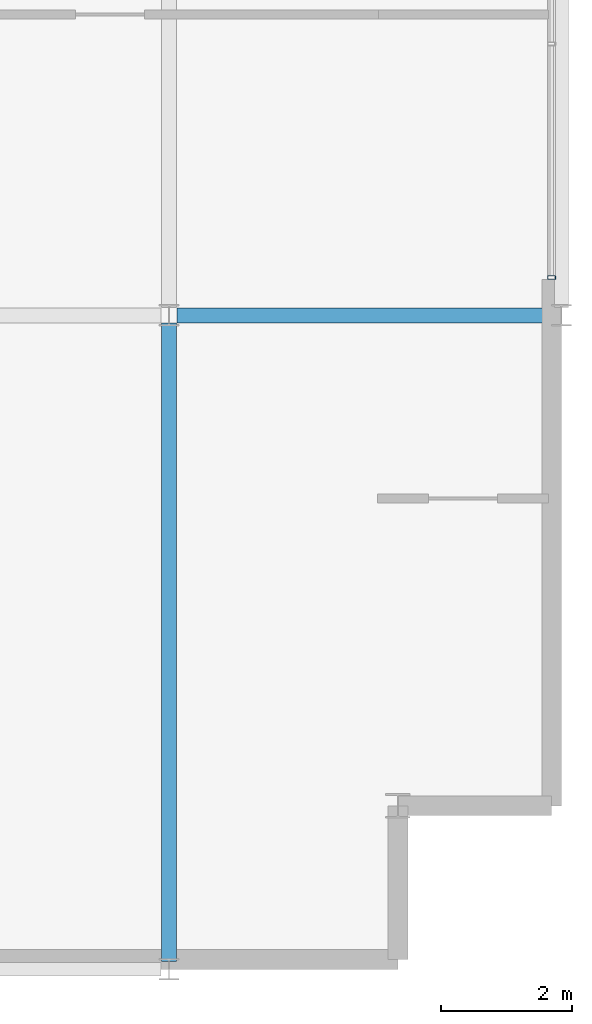
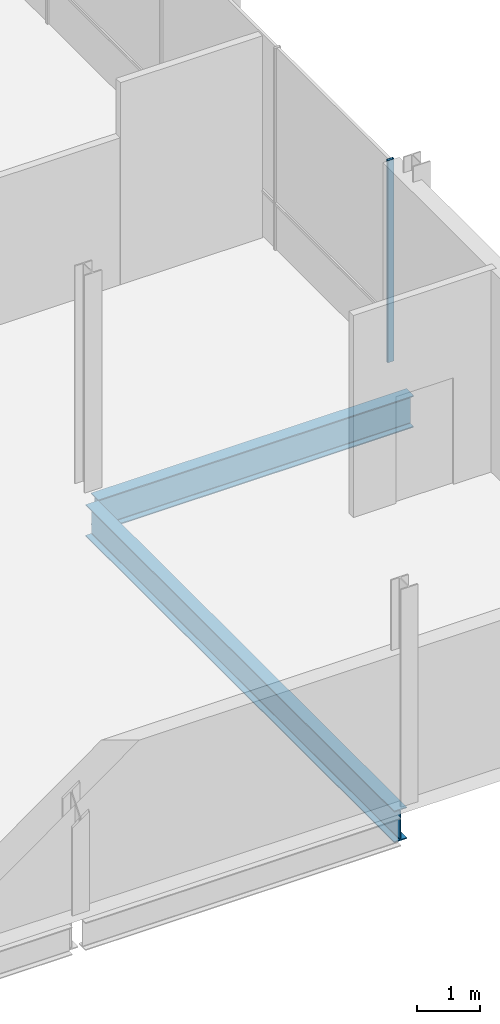
# One storey, part 6 of 11: 2 beams, 1 member, 1 element without a shape of its own.
"""IFC4 building model written with IfcOpenShell, lengths in metres."""

from ifc_helpers import new_model, si_unit, direction, frame, origin, origin_2d, place, context, subcontext, project, spatial, hollow_rectangle, i_section, extrude, material, layer, layer_set, material_profile, profile_set, type_object, element, aggregate, save


model = new_model("IFC4")

# Units and contexts
model_context = context("Model", 3, precision=1e-05, world=origin(), true_north=direction((0.0, 1.0)))
body_context = subcontext(model_context, "Body", "Model", "MODEL_VIEW")
ifc_project = project(units=[si_unit("LENGTHUNIT", "METRE"), si_unit("AREAUNIT", "SQUARE_METRE"), si_unit("VOLUMEUNIT", "CUBIC_METRE"), si_unit("PLANEANGLEUNIT", "RADIAN"), si_unit("MASSUNIT", "GRAM", prefix="KILO")], contexts=[model_context])

# Site, building, storey
site_placement = place(None, origin())
site = spatial("IfcSite", under=ifc_project, at=site_placement, CompositionType="ELEMENT")
building_placement = place(site_placement, origin())
building = spatial("IfcBuilding", under=site, at=building_placement, Name="Brevholm Reach", CompositionType="ELEMENT")
storey_placement = place(building_placement, frame((0.0, 0.0, 247.25)))
storey = spatial("IfcBuildingStorey", under=building, at=storey_placement, Name="L75", CompositionType="ELEMENT", Elevation=247.25)

# Beams
ifc_material_1 = material(Name="Structural Steel S355J2", Category="steel")
ifc_material_profile_1 = material_profile(ifc_material_1, i_section(OverallWidth=0.22900390625, OverallDepth=0.6123046875, WebThickness=0.011962890625, FlangeThickness=0.01953125, FilletRadius=0.0126953125, at=origin_2d()), Name="UKB 610x229x125")
ifc_profile_set_1 = profile_set([ifc_material_profile_1], Name="Structural Steel S355J2")
beam_type = type_object("IfcBeamType", Name="BM-SP610", PredefinedType="SPANDREL", material=ifc_profile_set_1)
beam_1_placement = place(storey_placement, frame((54.1201171875, 10.0, -0.566162109375), z_axis=(1.0, 0.0, 0.0), x_axis=(0.0, 1.0, 0.0)))
element("IfcBeam", 1, at=beam_1_placement, inside=storey, type_object=beam_type, Name="L75 SP-01 Framing Beam", PredefinedType="SPANDREL", context=body_context, shape_type="SweptSolid", body=[
    extrude(i_section(OverallWidth=0.22900390625, OverallDepth=0.6123046875, WebThickness=0.011962890625, FlangeThickness=0.01953125, FilletRadius=0.0126953125, at=origin_2d()), origin(), (0.0, 0.0, 1.0), 5.759765625),
])
beam_2_placement = place(storey_placement, frame((54.0, 0.1201171875, -0.566162109375), z_axis=(0.0, 1.0, 0.0), x_axis=(-1.0, 0.0, 0.0)))
element("IfcBeam", 2, at=beam_2_placement, inside=storey, type_object=beam_type, Name="L75 SP-01 Framing Beam", PredefinedType="SPANDREL", context=body_context, shape_type="SweptSolid", body=[
    extrude(i_section(OverallWidth=0.22900390625, OverallDepth=0.6123046875, WebThickness=0.011962890625, FlangeThickness=0.01953125, FilletRadius=0.0126953125, at=origin_2d()), origin(), (0.0, 0.0, 1.0), 9.759765625),
])

# Curtain wall, member
ifc_material_2 = material(Name="Dark Anodised Aluminium 6063-T6 and Solar-Control Glass", Category="aluminium")
ifc_layer = layer(ifc_material_2, 0.1201171875)
ifc_layer_set = layer_set([ifc_layer], Name="Dark Anodised Aluminium 6063-T6 and Solar-Control Glass")
curtain_wall_type = type_object("IfcCurtainWallType", Name="CW-06", PredefinedType="NOTDEFINED", material=ifc_layer_set)
curtain_wall_placement = place(storey_placement, origin())
curtain_wall = element("IfcCurtainWall", 3, at=curtain_wall_placement, inside=storey, type_object=curtain_wall_type, Name="L75 Curtain Wall CW-06", PredefinedType="NOTDEFINED")
ifc_material_3 = material(Name="Dark Anodised Aluminium 6063-T6", Category="aluminium")
ifc_material_profile_2 = material_profile(ifc_material_3, hollow_rectangle(XDim=0.054931640625, YDim=0.1201171875, WallThickness=0.00390625, InnerFilletRadius=0.00390625, OuterFilletRadius=0.008056640625, at=origin_2d()), Name="RHS 120x55x4")
ifc_profile_set_2 = profile_set([ifc_material_profile_2], Name="Dark Anodised Aluminium 6063-T6")
member_type = type_object("IfcMemberType", Name="CWM-120", PredefinedType="MULLION", material=ifc_profile_set_2)
member_placement = place(storey_placement, frame((59.85009765625, 10.577392578125, 0.0), z_axis=(0.0, 0.0, 1.0), x_axis=(0.0, 1.0, 0.0)))
member = element("IfcMember", 4, at=member_placement, type_object=member_type, Name="CM-120 Mullion 1", PredefinedType="MULLION", context=body_context, shape_type="SweptSolid", body=[
    extrude(hollow_rectangle(XDim=0.054931640625, YDim=0.1201171875, WallThickness=0.00390625, InnerFilletRadius=0.00390625, OuterFilletRadius=0.008056640625, at=origin_2d()), origin(), (0.0, 0.0, 1.0), 3.89990234375),
])
aggregate(curtain_wall, [member])

save(model, "model.ifc")
